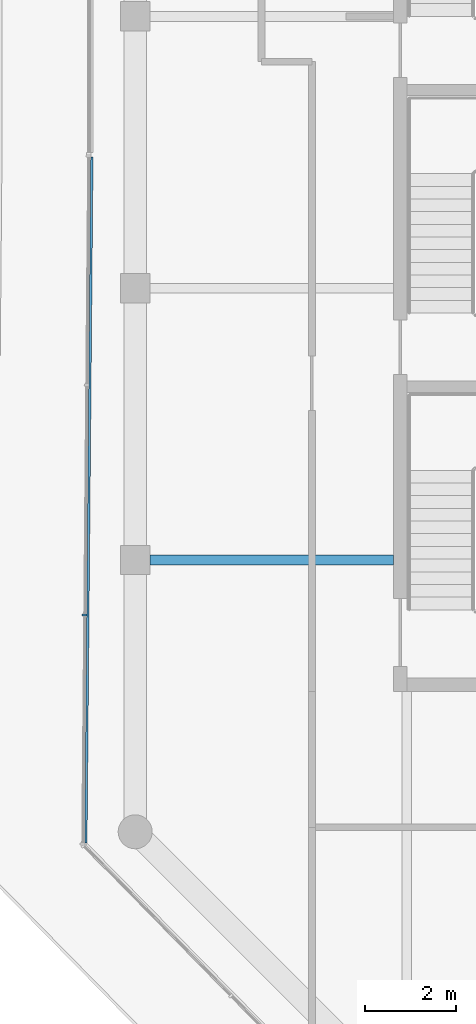
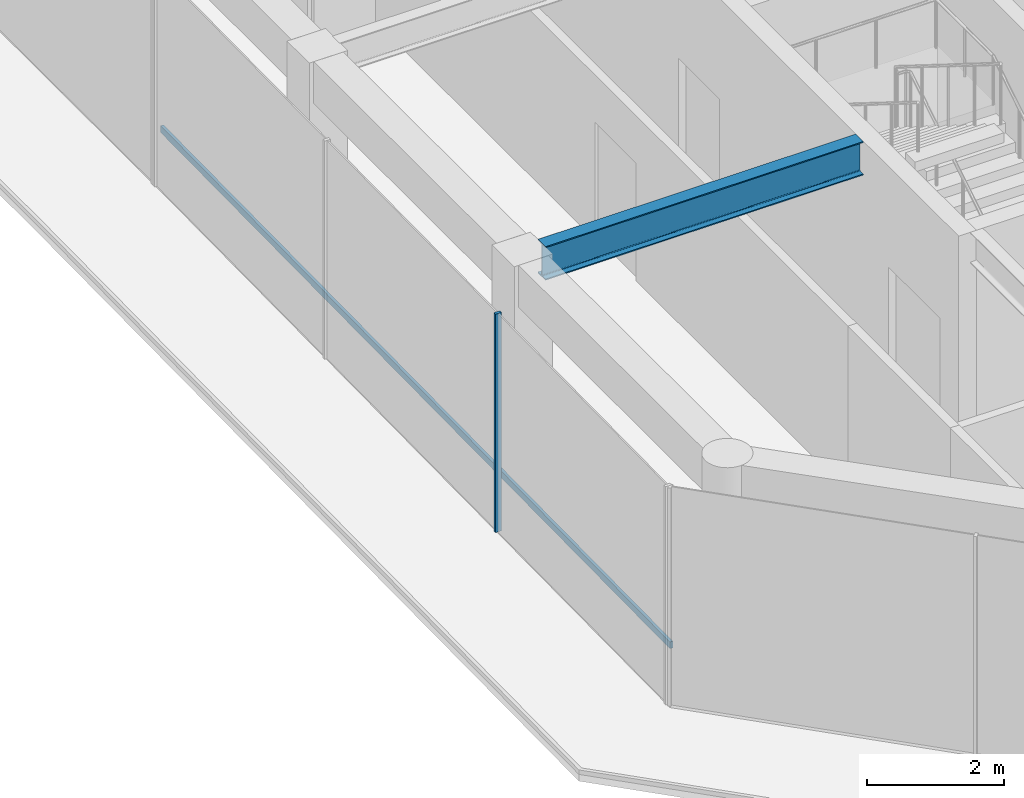
# One storey, part 4 of 17: 2 members, 1 beam, 1 element without a shape of its own.
"""IFC4 building model written with IfcOpenShell, lengths in metres."""

from ifc_helpers import new_model, si_unit, direction, frame, origin, origin_2d, place, context, subcontext, project, spatial, rectangle, i_section, extrude, material, layer, layer_set, material_profile, profile_set, type_object, element, aggregate, save


model = new_model("IFC4")

# Units and contexts
model_context = context("Model", 3, precision=1e-05, world=origin(), true_north=direction((0.0, 1.0)))
body_context = subcontext(model_context, "Body", "Model", "MODEL_VIEW")
ifc_project = project(units=[si_unit("LENGTHUNIT", "METRE"), si_unit("AREAUNIT", "SQUARE_METRE"), si_unit("VOLUMEUNIT", "CUBIC_METRE"), si_unit("PLANEANGLEUNIT", "RADIAN"), si_unit("MASSUNIT", "GRAM", prefix="KILO")], contexts=[model_context])

# Site, building, storey
site_placement = place(None, origin())
site = spatial("IfcSite", under=ifc_project, at=site_placement, CompositionType="ELEMENT")
building_placement = place(site_placement, origin())
building = spatial("IfcBuilding", under=site, at=building_placement, Name="Welwitschia Terrace Campus", CompositionType="ELEMENT")
storey_placement = place(building_placement, frame((0.0, 0.0, 335.60009765625)))
storey = spatial("IfcBuildingStorey", under=building, at=storey_placement, Name="L75", CompositionType="ELEMENT", Elevation=335.60009765625)

# Curtain wall, member
ifc_material_1 = material(Name="Bronze anodised aluminium", Category="aluminium")
ifc_layer = layer(ifc_material_1, 0.10009765625)
ifc_layer_set = layer_set([ifc_layer], Name="Bronze anodised aluminium")
curtain_wall_type = type_object("IfcCurtainWallType", Name="Curtain wall CW5 crown 6000", PredefinedType="NOTDEFINED", material=ifc_layer_set)
curtain_wall_placement = place(storey_placement, origin())
curtain_wall = element("IfcCurtainWall", 1, at=curtain_wall_placement, inside=storey, type_object=curtain_wall_type, Name="CW L75.2.0", PredefinedType="NOTDEFINED")
ifc_material_2 = material(Name="Bronze anodised aluminium", Category="aluminium")
ifc_material_profile_1 = material_profile(ifc_material_2, rectangle(XDim=0.10009765625, YDim=0.050048828125, at=origin_2d()))
ifc_profile_set_1 = profile_set([ifc_material_profile_1], Name="Bronze anodised aluminium")
member_type_1 = type_object("IfcMemberType", Name="Mullion 50x100", PredefinedType="MULLION", material=ifc_profile_set_1)
member_1_placement = place(storey_placement, frame((-1.11865234375, 6.78564453125, 0.0), z_axis=(0.0, 0.0, 1.0), x_axis=(0.999961923064, -0.008726535498, 0.0)))
member_1 = element("IfcMember", 2, at=member_1_placement, type_object=member_type_1, Name="Mullion L75.2.0.2", PredefinedType="MULLION", context=body_context, shape_type="SweptSolid", body=[
    extrude(rectangle(XDim=0.10009765625, YDim=0.050048828125, at=origin_2d()), origin(), (0.0, 0.0, 1.0), 3.89990234375),
])

# Beam
ifc_material_3 = material(Name="Steel S355", Category="steel")
ifc_material_profile_2 = material_profile(ifc_material_3, i_section(OverallWidth=0.219970703125, OverallDepth=0.60009765625, WebThickness=0.011962890625, FlangeThickness=0.01904296875, FilletRadius=0.02392578125, at=origin_2d()))
ifc_profile_set_2 = profile_set([ifc_material_profile_2], Name="Steel S355")
beam_type = type_object("IfcBeamType", Name="Primary beam IPE 600", PredefinedType="BEAM", material=ifc_profile_set_2)
beam_placement = place(storey_placement, frame((0.325439453125, 8.0, 3.599853515625), z_axis=(1.0, 0.0, 0.0), x_axis=(0.0, 1.0, 0.0)))
element("IfcBeam", 3, at=beam_placement, inside=storey, type_object=beam_type, Name="Primary beam PB7", PredefinedType="BEAM", context=body_context, shape_type="SweptSolid", body=[
    extrude(i_section(OverallWidth=0.219970703125, OverallDepth=0.60009765625, WebThickness=0.011962890625, FlangeThickness=0.01904296875, FilletRadius=0.02392578125, at=origin_2d()), origin(), (0.0, 0.0, 1.0), 5.37451171875),
])

# Member
ifc_material_4 = material(Name="Bronze anodised aluminium", Category="aluminium")
ifc_material_profile_3 = material_profile(ifc_material_4, rectangle(XDim=0.050048828125, YDim=0.1201171875, at=origin_2d()))
ifc_profile_set_3 = profile_set([ifc_material_profile_3], Name="Bronze anodised aluminium")
member_type_2 = type_object("IfcMemberType", Name="Transom 50x120", PredefinedType="USERDEFINED", material=ifc_profile_set_3)
member_2_placement = place(storey_placement, frame((-0.955322265625, 16.892578125, 1.0), z_axis=(-0.008741742452, -0.999961790239, 0.0), x_axis=(0.999961790239, -0.008741742452, 0.0)))
member_2 = element("IfcMember", 4, at=member_2_placement, type_object=member_type_2, Name="Transom L75.2.0", ObjectType="TRANSOM", PredefinedType="USERDEFINED", context=body_context, shape_type="SweptSolid", body=[
    extrude(rectangle(XDim=0.050048828125, YDim=0.1201171875, at=origin_2d()), origin(), (0.0, 0.0, 1.0), 15.136962890625),
])

aggregate(curtain_wall, [member_1, member_2])

save(model, "model.ifc")
